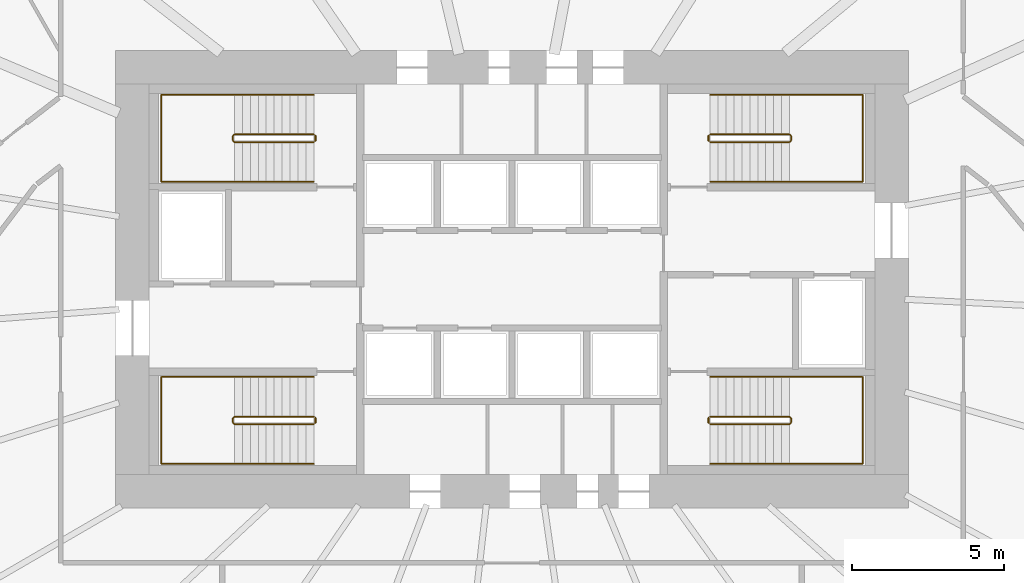
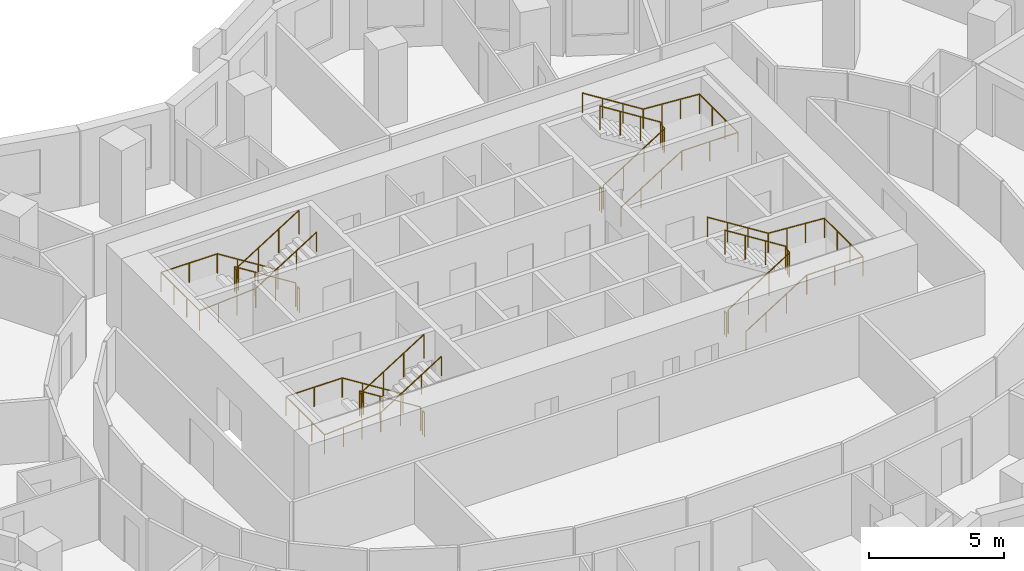
# One storey, part 12 of 13: 12 railings.
"""IFC4 building model written with IfcOpenShell, lengths in metres."""

from ifc_helpers import new_model, si_unit, direction, frame, origin, origin_2d, place, context, subcontext, project, spatial, circle, extrude, material, type_object, element, save


model = new_model("IFC4")

# Units and contexts
model_context = context("Model", 3, precision=1e-05, world=origin(), true_north=direction((0.0, 1.0)))
body_context = subcontext(model_context, "Body", "Model", "MODEL_VIEW")
ifc_project = project(units=[si_unit("LENGTHUNIT", "METRE"), si_unit("AREAUNIT", "SQUARE_METRE"), si_unit("VOLUMEUNIT", "CUBIC_METRE"), si_unit("PLANEANGLEUNIT", "RADIAN"), si_unit("MASSUNIT", "GRAM", prefix="KILO")], contexts=[model_context])

# Site, building, storey
site_placement = place(None, origin())
site = spatial("IfcSite", under=ifc_project, at=site_placement, CompositionType="ELEMENT")
building_placement = place(site_placement, origin())
building = spatial("IfcBuilding", under=site, at=building_placement, Name="Rubra Terraces Tower", CompositionType="ELEMENT")
storey_placement = place(building_placement, frame((0.0, 0.0, 85.199951171875)))
storey = spatial("IfcBuildingStorey", under=building, at=storey_placement, Name="L19", CompositionType="ELEMENT", Elevation=85.199951171875)

# Railings
ifc_material = material(Name="Stainless steel", Category="steel")
railing_type_1 = type_object("IfcRailingType", Name="Core stair guard 1100", PredefinedType="GUARDRAIL", material=ifc_material)
railing_1_placement = place(storey_placement, frame((-6.5, 0.0, 0.16357421875)))
element("IfcRailing", 1, at=railing_1_placement, inside=storey, type_object=railing_type_1, Name="L19 stair S1 guard 1", PredefinedType="GUARDRAIL", context=body_context, shape_type="SweptSolid", body=[
    extrude(circle(Radius=0.02392578125, at=origin_2d()), frame((0.0, 0.0, 1.076171875), z_axis=(-0.846324394277, 0.0, 0.532667832379), x_axis=(0.0, -1.0, 0.0)), (0.0, 0.0, 1.0), 3.072265625),
    extrude(circle(Radius=0.02392578125, at=origin_2d()), frame((-2.60009765625, 0.0, 2.71240234375), z_axis=(-0.705375805398, -0.708833529934, 0.0), x_axis=(0.708833529934, -0.705375805398, 0.0)), (0.0, 0.0, 1.0), 0.070556640625),
    extrude(circle(Radius=0.02392578125, at=origin_2d()), frame((-2.64990234375, -0.050048828125, 2.71240234375), z_axis=(0.0, -1.0, 0.0), x_axis=(1.0, 0.0, 0.0)), (0.0, 0.0, 1.0), 0.14990234375),
    extrude(circle(Radius=0.02392578125, at=origin_2d()), frame((-2.64990234375, -0.199951171875, 2.71240234375), z_axis=(0.279546231943, -0.280916556609, 0.91811752648), x_axis=(0.708833529934, 0.705375805398, 0.0)), (0.0, 0.0, 1.0), 0.17822265625),
    extrude(circle(Radius=0.02392578125, at=origin_2d()), frame((-2.60009765625, -0.25, 2.8759765625), z_axis=(0.846324394277, 0.0, 0.532667832379), x_axis=(0.0, 1.0, 0.0)), (0.0, 0.0, 1.0), 3.072265625),
    extrude(circle(Radius=0.02099609375, at=origin_2d()), origin(), (0.0, 0.0, 1.0), 1.052001953125),
    extrude(circle(Radius=0.02099609375, at=origin_2d()), frame((-0.86669921875, 0.0, 0.54541015625)), (0.0, 0.0, 1.0), 1.052001953125),
    extrude(circle(Radius=0.02099609375, at=origin_2d()), frame((-1.7333984375, 0.0, 1.091064453125)), (0.0, 0.0, 1.0), 1.052001953125),
    extrude(circle(Radius=0.02099609375, at=origin_2d()), frame((-2.60009765625, 0.0, 1.636474609375)), (0.0, 0.0, 1.0), 1.052001953125),
    extrude(circle(Radius=0.02099609375, at=origin_2d()), frame((-2.64990234375, -0.050048828125, 1.636474609375)), (0.0, 0.0, 1.0), 1.052001953125),
    extrude(circle(Radius=0.02099609375, at=origin_2d()), frame((-2.64990234375, -0.199951171875, 1.636474609375)), (0.0, 0.0, 1.0), 1.052001953125),
    extrude(circle(Radius=0.02099609375, at=origin_2d()), frame((-2.60009765625, -0.25, 1.800048828125)), (0.0, 0.0, 1.0), 1.052001953125),
    extrude(circle(Radius=0.02099609375, at=origin_2d()), frame((-1.7333984375, -0.25, 2.345458984375)), (0.0, 0.0, 1.0), 1.052001953125),
    extrude(circle(Radius=0.02099609375, at=origin_2d()), frame((-0.86669921875, -0.25, 2.89111328125)), (0.0, 0.0, 1.0), 1.052001953125),
    extrude(circle(Radius=0.02099609375, at=origin_2d()), frame((0.0, -0.25, 3.4365234375)), (0.0, 0.0, 1.0), 1.052001953125),
])
railing_2_placement = place(storey_placement, frame((-6.449951171875, -0.050048828125, 0.0)))
element("IfcRailing", 2, at=railing_2_placement, inside=storey, type_object=railing_type_1, Name="L19 stair S1 guard 2", PredefinedType="GUARDRAIL", context=body_context, shape_type="SweptSolid", body=[
    extrude(circle(Radius=0.02392578125, at=origin_2d()), frame((0.0, 0.0, 1.076171875), z_axis=(0.0, -1.0, 0.0), x_axis=(1.0, 0.0, 0.0)), (0.0, 0.0, 1.0), 0.14990234375),
    extrude(circle(Radius=0.02099609375, at=origin_2d()), origin(), (0.0, 0.0, 1.0), 1.052001953125),
    extrude(circle(Radius=0.02099609375, at=origin_2d()), frame((0.0, -0.14990234375, 0.0)), (0.0, 0.0, 1.0), 1.052001953125),
])
railing_3_placement = place(storey_placement, frame((-6.5, 9.25, 0.16357421875)))
element("IfcRailing", 3, at=railing_3_placement, inside=storey, type_object=railing_type_1, Name="L19 stair S2 guard 1", PredefinedType="GUARDRAIL", context=body_context, shape_type="SweptSolid", body=[
    extrude(circle(Radius=0.02392578125, at=origin_2d()), frame((0.0, 0.0, 1.076171875), z_axis=(-0.846324394277, 0.0, 0.532667832379), x_axis=(0.0, -1.0, 0.0)), (0.0, 0.0, 1.0), 3.072265625),
    extrude(circle(Radius=0.02392578125, at=origin_2d()), frame((-2.60009765625, 0.0, 2.71240234375), z_axis=(-0.705375805398, -0.708833529934, 0.0), x_axis=(0.708833529934, -0.705375805398, 0.0)), (0.0, 0.0, 1.0), 0.070556640625),
    extrude(circle(Radius=0.02392578125, at=origin_2d()), frame((-2.64990234375, -0.050048828125, 2.71240234375), z_axis=(0.0, -1.0, 0.0), x_axis=(1.0, 0.0, 0.0)), (0.0, 0.0, 1.0), 0.14990234375),
    extrude(circle(Radius=0.02392578125, at=origin_2d()), frame((-2.64990234375, -0.199951171875, 2.71240234375), z_axis=(0.279546231943, -0.280916556609, 0.91811752648), x_axis=(0.708833529934, 0.705375805398, 0.0)), (0.0, 0.0, 1.0), 0.17822265625),
    extrude(circle(Radius=0.02392578125, at=origin_2d()), frame((-2.60009765625, -0.25, 2.8759765625), z_axis=(0.846324394277, 0.0, 0.532667832379), x_axis=(0.0, 1.0, 0.0)), (0.0, 0.0, 1.0), 3.072265625),
    extrude(circle(Radius=0.02099609375, at=origin_2d()), origin(), (0.0, 0.0, 1.0), 1.052001953125),
    extrude(circle(Radius=0.02099609375, at=origin_2d()), frame((-0.86669921875, 0.0, 0.54541015625)), (0.0, 0.0, 1.0), 1.052001953125),
    extrude(circle(Radius=0.02099609375, at=origin_2d()), frame((-1.7333984375, 0.0, 1.091064453125)), (0.0, 0.0, 1.0), 1.052001953125),
    extrude(circle(Radius=0.02099609375, at=origin_2d()), frame((-2.60009765625, 0.0, 1.636474609375)), (0.0, 0.0, 1.0), 1.052001953125),
    extrude(circle(Radius=0.02099609375, at=origin_2d()), frame((-2.64990234375, -0.050048828125, 1.636474609375)), (0.0, 0.0, 1.0), 1.052001953125),
    extrude(circle(Radius=0.02099609375, at=origin_2d()), frame((-2.64990234375, -0.199951171875, 1.636474609375)), (0.0, 0.0, 1.0), 1.052001953125),
    extrude(circle(Radius=0.02099609375, at=origin_2d()), frame((-2.60009765625, -0.25, 1.800048828125)), (0.0, 0.0, 1.0), 1.052001953125),
    extrude(circle(Radius=0.02099609375, at=origin_2d()), frame((-1.7333984375, -0.25, 2.345458984375)), (0.0, 0.0, 1.0), 1.052001953125),
    extrude(circle(Radius=0.02099609375, at=origin_2d()), frame((-0.86669921875, -0.25, 2.89111328125)), (0.0, 0.0, 1.0), 1.052001953125),
    extrude(circle(Radius=0.02099609375, at=origin_2d()), frame((0.0, -0.25, 3.4365234375)), (0.0, 0.0, 1.0), 1.052001953125),
])
railing_4_placement = place(storey_placement, frame((-6.449951171875, 9.199951171875, 0.0)))
element("IfcRailing", 4, at=railing_4_placement, inside=storey, type_object=railing_type_1, Name="L19 stair S2 guard 2", PredefinedType="GUARDRAIL", context=body_context, shape_type="SweptSolid", body=[
    extrude(circle(Radius=0.02392578125, at=origin_2d()), frame((0.0, 0.0, 1.076171875), z_axis=(0.0, -1.0, 0.0), x_axis=(1.0, 0.0, 0.0)), (0.0, 0.0, 1.0), 0.14990234375),
    extrude(circle(Radius=0.02099609375, at=origin_2d()), origin(), (0.0, 0.0, 1.0), 1.052001953125),
    extrude(circle(Radius=0.02099609375, at=origin_2d()), frame((0.0, -0.14990234375, 0.0)), (0.0, 0.0, 1.0), 1.052001953125),
])
railing_5_placement = place(storey_placement, frame((6.5, 9.0, 0.16357421875)))
element("IfcRailing", 5, at=railing_5_placement, inside=storey, type_object=railing_type_1, Name="L19 stair S3 guard 1", PredefinedType="GUARDRAIL", context=body_context, shape_type="SweptSolid", body=[
    extrude(circle(Radius=0.02392578125, at=origin_2d()), frame((0.0, 0.0, 1.076171875), z_axis=(0.846324394277, 0.0, 0.532667832379), x_axis=(0.0, 1.0, 0.0)), (0.0, 0.0, 1.0), 3.072265625),
    extrude(circle(Radius=0.02392578125, at=origin_2d()), frame((2.60009765625, 0.0, 2.71240234375), z_axis=(0.705375805398, 0.708833529934, 0.0), x_axis=(-0.708833529934, 0.705375805398, 0.0)), (0.0, 0.0, 1.0), 0.070556640625),
    extrude(circle(Radius=0.02392578125, at=origin_2d()), frame((2.64990234375, 0.050048828125, 2.71240234375), z_axis=(0.0, 1.0, 0.0), x_axis=(-1.0, 0.0, 0.0)), (0.0, 0.0, 1.0), 0.14990234375),
    extrude(circle(Radius=0.02392578125, at=origin_2d()), frame((2.64990234375, 0.199951171875, 2.71240234375), z_axis=(-0.279546231943, 0.280916556609, 0.91811752648), x_axis=(-0.708833529934, -0.705375805398, 0.0)), (0.0, 0.0, 1.0), 0.17822265625),
    extrude(circle(Radius=0.02392578125, at=origin_2d()), frame((2.60009765625, 0.25, 2.8759765625), z_axis=(-0.846324394277, 0.0, 0.532667832379), x_axis=(0.0, -1.0, 0.0)), (0.0, 0.0, 1.0), 3.072265625),
    extrude(circle(Radius=0.02099609375, at=origin_2d()), origin(), (0.0, 0.0, 1.0), 1.052001953125),
    extrude(circle(Radius=0.02099609375, at=origin_2d()), frame((0.86669921875, 0.0, 0.54541015625)), (0.0, 0.0, 1.0), 1.052001953125),
    extrude(circle(Radius=0.02099609375, at=origin_2d()), frame((1.7333984375, 0.0, 1.091064453125)), (0.0, 0.0, 1.0), 1.052001953125),
    extrude(circle(Radius=0.02099609375, at=origin_2d()), frame((2.60009765625, 0.0, 1.636474609375)), (0.0, 0.0, 1.0), 1.052001953125),
    extrude(circle(Radius=0.02099609375, at=origin_2d()), frame((2.64990234375, 0.050048828125, 1.636474609375)), (0.0, 0.0, 1.0), 1.052001953125),
    extrude(circle(Radius=0.02099609375, at=origin_2d()), frame((2.64990234375, 0.199951171875, 1.636474609375)), (0.0, 0.0, 1.0), 1.052001953125),
    extrude(circle(Radius=0.02099609375, at=origin_2d()), frame((2.60009765625, 0.25, 1.800048828125)), (0.0, 0.0, 1.0), 1.052001953125),
    extrude(circle(Radius=0.02099609375, at=origin_2d()), frame((1.7333984375, 0.25, 2.345458984375)), (0.0, 0.0, 1.0), 1.052001953125),
    extrude(circle(Radius=0.02099609375, at=origin_2d()), frame((0.86669921875, 0.25, 2.89111328125)), (0.0, 0.0, 1.0), 1.052001953125),
    extrude(circle(Radius=0.02099609375, at=origin_2d()), frame((0.0, 0.25, 3.4365234375)), (0.0, 0.0, 1.0), 1.052001953125),
])
railing_6_placement = place(storey_placement, frame((6.449951171875, 9.050048828125, 0.0)))
element("IfcRailing", 6, at=railing_6_placement, inside=storey, type_object=railing_type_1, Name="L19 stair S3 guard 2", PredefinedType="GUARDRAIL", context=body_context, shape_type="SweptSolid", body=[
    extrude(circle(Radius=0.02392578125, at=origin_2d()), frame((0.0, 0.0, 1.076171875), z_axis=(0.0, 1.0, 0.0), x_axis=(-1.0, 0.0, 0.0)), (0.0, 0.0, 1.0), 0.14990234375),
    extrude(circle(Radius=0.02099609375, at=origin_2d()), origin(), (0.0, 0.0, 1.0), 1.052001953125),
    extrude(circle(Radius=0.02099609375, at=origin_2d()), frame((0.0, 0.14990234375, 0.0)), (0.0, 0.0, 1.0), 1.052001953125),
])
railing_7_placement = place(storey_placement, frame((6.5, -0.25, 0.16357421875)))
element("IfcRailing", 7, at=railing_7_placement, inside=storey, type_object=railing_type_1, Name="L19 stair S4 guard 1", PredefinedType="GUARDRAIL", context=body_context, shape_type="SweptSolid", body=[
    extrude(circle(Radius=0.02392578125, at=origin_2d()), frame((0.0, 0.0, 1.076171875), z_axis=(0.846324394277, 0.0, 0.532667832379), x_axis=(0.0, 1.0, 0.0)), (0.0, 0.0, 1.0), 3.072265625),
    extrude(circle(Radius=0.02392578125, at=origin_2d()), frame((2.60009765625, 0.0, 2.71240234375), z_axis=(0.705375805398, 0.708833529934, 0.0), x_axis=(-0.708833529934, 0.705375805398, 0.0)), (0.0, 0.0, 1.0), 0.070556640625),
    extrude(circle(Radius=0.02392578125, at=origin_2d()), frame((2.64990234375, 0.050048828125, 2.71240234375), z_axis=(0.0, 1.0, 0.0), x_axis=(-1.0, 0.0, 0.0)), (0.0, 0.0, 1.0), 0.14990234375),
    extrude(circle(Radius=0.02392578125, at=origin_2d()), frame((2.64990234375, 0.199951171875, 2.71240234375), z_axis=(-0.279546231943, 0.280916556609, 0.91811752648), x_axis=(-0.708833529934, -0.705375805398, 0.0)), (0.0, 0.0, 1.0), 0.17822265625),
    extrude(circle(Radius=0.02392578125, at=origin_2d()), frame((2.60009765625, 0.25, 2.8759765625), z_axis=(-0.846324394277, 0.0, 0.532667832379), x_axis=(0.0, -1.0, 0.0)), (0.0, 0.0, 1.0), 3.072265625),
    extrude(circle(Radius=0.02099609375, at=origin_2d()), origin(), (0.0, 0.0, 1.0), 1.052001953125),
    extrude(circle(Radius=0.02099609375, at=origin_2d()), frame((0.86669921875, 0.0, 0.54541015625)), (0.0, 0.0, 1.0), 1.052001953125),
    extrude(circle(Radius=0.02099609375, at=origin_2d()), frame((1.7333984375, 0.0, 1.091064453125)), (0.0, 0.0, 1.0), 1.052001953125),
    extrude(circle(Radius=0.02099609375, at=origin_2d()), frame((2.60009765625, 0.0, 1.636474609375)), (0.0, 0.0, 1.0), 1.052001953125),
    extrude(circle(Radius=0.02099609375, at=origin_2d()), frame((2.64990234375, 0.050048828125, 1.636474609375)), (0.0, 0.0, 1.0), 1.052001953125),
    extrude(circle(Radius=0.02099609375, at=origin_2d()), frame((2.64990234375, 0.199951171875, 1.636474609375)), (0.0, 0.0, 1.0), 1.052001953125),
    extrude(circle(Radius=0.02099609375, at=origin_2d()), frame((2.60009765625, 0.25, 1.800048828125)), (0.0, 0.0, 1.0), 1.052001953125),
    extrude(circle(Radius=0.02099609375, at=origin_2d()), frame((1.7333984375, 0.25, 2.345458984375)), (0.0, 0.0, 1.0), 1.052001953125),
    extrude(circle(Radius=0.02099609375, at=origin_2d()), frame((0.86669921875, 0.25, 2.89111328125)), (0.0, 0.0, 1.0), 1.052001953125),
    extrude(circle(Radius=0.02099609375, at=origin_2d()), frame((0.0, 0.25, 3.4365234375)), (0.0, 0.0, 1.0), 1.052001953125),
])
railing_8_placement = place(storey_placement, frame((6.449951171875, -0.199951171875, 0.0)))
element("IfcRailing", 8, at=railing_8_placement, inside=storey, type_object=railing_type_1, Name="L19 stair S4 guard 2", PredefinedType="GUARDRAIL", context=body_context, shape_type="SweptSolid", body=[
    extrude(circle(Radius=0.02392578125, at=origin_2d()), frame((0.0, 0.0, 1.076171875), z_axis=(0.0, 1.0, 0.0), x_axis=(-1.0, 0.0, 0.0)), (0.0, 0.0, 1.0), 0.14990234375),
    extrude(circle(Radius=0.02099609375, at=origin_2d()), origin(), (0.0, 0.0, 1.0), 1.052001953125),
    extrude(circle(Radius=0.02099609375, at=origin_2d()), frame((0.0, 0.14990234375, 0.0)), (0.0, 0.0, 1.0), 1.052001953125),
])
railing_type_2 = type_object("IfcRailingType", Name="Core stair handrail 900", PredefinedType="HANDRAIL", material=ifc_material)
railing_9_placement = place(storey_placement, frame((-6.5, 1.300048828125, 0.16357421875)))
element("IfcRailing", 9, at=railing_9_placement, inside=storey, type_object=railing_type_2, Name="L19 stair S1 handrail 1", PredefinedType="HANDRAIL", context=body_context, shape_type="SweptSolid", body=[
    extrude(circle(Radius=0.02392578125, at=origin_2d()), frame((0.0, 0.0, 0.8759765625), z_axis=(-0.846324394277, 0.0, 0.532667832379), x_axis=(0.0, -1.0, 0.0)), (0.0, 0.0, 1.0), 3.072265625),
    extrude(circle(Radius=0.02392578125, at=origin_2d()), frame((-2.60009765625, 0.0, 2.51220703125), z_axis=(-1.0, 0.0, 0.0), x_axis=(0.0, -1.0, 0.0)), (0.0, 0.0, 1.0), 2.39990234375),
    extrude(circle(Radius=0.02392578125, at=origin_2d()), frame((-5.0, 0.0, 2.51220703125), z_axis=(0.0, -1.0, 0.0), x_axis=(1.0, 0.0, 0.0)), (0.0, 0.0, 1.0), 2.85009765625),
    extrude(circle(Radius=0.02392578125, at=origin_2d()), frame((-5.0, -2.85009765625, 2.51220703125), z_axis=(0.997685257876, 0.0, 0.068000928055), x_axis=(0.0, 1.0, 0.0)), (0.0, 0.0, 1.0), 2.405517578125),
    extrude(circle(Radius=0.02392578125, at=origin_2d()), frame((-2.60009765625, -2.85009765625, 2.67578125), z_axis=(0.846324394277, 0.0, 0.532667832379), x_axis=(0.0, 1.0, 0.0)), (0.0, 0.0, 1.0), 3.072265625),
    extrude(circle(Radius=0.02099609375, at=origin_2d()), origin(), (0.0, 0.0, 1.0), 0.851806640625),
    extrude(circle(Radius=0.02099609375, at=origin_2d()), frame((-0.86669921875, 0.0, 0.54541015625)), (0.0, 0.0, 1.0), 0.851806640625),
    extrude(circle(Radius=0.02099609375, at=origin_2d()), frame((-1.7333984375, 0.0, 1.091064453125)), (0.0, 0.0, 1.0), 0.851806640625),
    extrude(circle(Radius=0.02099609375, at=origin_2d()), frame((-2.60009765625, 0.0, 1.636474609375)), (0.0, 0.0, 1.0), 0.851806640625),
    extrude(circle(Radius=0.02099609375, at=origin_2d()), frame((-3.800048828125, 0.0, 1.636474609375)), (0.0, 0.0, 1.0), 0.851806640625),
    extrude(circle(Radius=0.02099609375, at=origin_2d()), frame((-5.0, 0.0, 1.636474609375)), (0.0, 0.0, 1.0), 0.851806640625),
    extrude(circle(Radius=0.02099609375, at=origin_2d()), frame((-5.0, -0.949951171875, 1.636474609375)), (0.0, 0.0, 1.0), 0.851806640625),
    extrude(circle(Radius=0.02099609375, at=origin_2d()), frame((-5.0, -1.900146484375, 1.636474609375)), (0.0, 0.0, 1.0), 0.851806640625),
    extrude(circle(Radius=0.02099609375, at=origin_2d()), frame((-5.0, -2.85009765625, 1.636474609375)), (0.0, 0.0, 1.0), 0.851806640625),
    extrude(circle(Radius=0.02099609375, at=origin_2d()), frame((-4.199951171875, -2.85009765625, 1.69091796875)), (0.0, 0.0, 1.0), 0.851806640625),
    extrude(circle(Radius=0.02099609375, at=origin_2d()), frame((-3.400146484375, -2.85009765625, 1.74560546875)), (0.0, 0.0, 1.0), 0.851806640625),
    extrude(circle(Radius=0.02099609375, at=origin_2d()), frame((-2.60009765625, -2.85009765625, 1.800048828125)), (0.0, 0.0, 1.0), 0.851806640625),
    extrude(circle(Radius=0.02099609375, at=origin_2d()), frame((-1.7333984375, -2.85009765625, 2.345458984375)), (0.0, 0.0, 1.0), 0.851806640625),
    extrude(circle(Radius=0.02099609375, at=origin_2d()), frame((-0.86669921875, -2.85009765625, 2.89111328125)), (0.0, 0.0, 1.0), 0.851806640625),
    extrude(circle(Radius=0.02099609375, at=origin_2d()), frame((0.0, -2.85009765625, 3.4365234375)), (0.0, 0.0, 1.0), 0.851806640625),
])
railing_10_placement = place(storey_placement, frame((-6.5, 10.550048828125, 0.16357421875)))
element("IfcRailing", 10, at=railing_10_placement, inside=storey, type_object=railing_type_2, Name="L19 stair S2 handrail 1", PredefinedType="HANDRAIL", context=body_context, shape_type="SweptSolid", body=[
    extrude(circle(Radius=0.02392578125, at=origin_2d()), frame((0.0, 0.0, 0.8759765625), z_axis=(-0.846324394277, 0.0, 0.532667832379), x_axis=(0.0, -1.0, 0.0)), (0.0, 0.0, 1.0), 3.072265625),
    extrude(circle(Radius=0.02392578125, at=origin_2d()), frame((-2.60009765625, 0.0, 2.51220703125), z_axis=(-1.0, 0.0, 0.0), x_axis=(0.0, -1.0, 0.0)), (0.0, 0.0, 1.0), 2.39990234375),
    extrude(circle(Radius=0.02392578125, at=origin_2d()), frame((-5.0, 0.0, 2.51220703125), z_axis=(0.0, -1.0, 0.0), x_axis=(1.0, 0.0, 0.0)), (0.0, 0.0, 1.0), 2.85009765625),
    extrude(circle(Radius=0.02392578125, at=origin_2d()), frame((-5.0, -2.85009765625, 2.51220703125), z_axis=(0.997685257876, 0.0, 0.068000928055), x_axis=(0.0, 1.0, 0.0)), (0.0, 0.0, 1.0), 2.405517578125),
    extrude(circle(Radius=0.02392578125, at=origin_2d()), frame((-2.60009765625, -2.85009765625, 2.67578125), z_axis=(0.846324394277, 0.0, 0.532667832379), x_axis=(0.0, 1.0, 0.0)), (0.0, 0.0, 1.0), 3.072265625),
    extrude(circle(Radius=0.02099609375, at=origin_2d()), origin(), (0.0, 0.0, 1.0), 0.851806640625),
    extrude(circle(Radius=0.02099609375, at=origin_2d()), frame((-0.86669921875, 0.0, 0.54541015625)), (0.0, 0.0, 1.0), 0.851806640625),
    extrude(circle(Radius=0.02099609375, at=origin_2d()), frame((-1.7333984375, 0.0, 1.091064453125)), (0.0, 0.0, 1.0), 0.851806640625),
    extrude(circle(Radius=0.02099609375, at=origin_2d()), frame((-2.60009765625, 0.0, 1.636474609375)), (0.0, 0.0, 1.0), 0.851806640625),
    extrude(circle(Radius=0.02099609375, at=origin_2d()), frame((-3.800048828125, 0.0, 1.636474609375)), (0.0, 0.0, 1.0), 0.851806640625),
    extrude(circle(Radius=0.02099609375, at=origin_2d()), frame((-5.0, 0.0, 1.636474609375)), (0.0, 0.0, 1.0), 0.851806640625),
    extrude(circle(Radius=0.02099609375, at=origin_2d()), frame((-5.0, -0.949951171875, 1.636474609375)), (0.0, 0.0, 1.0), 0.851806640625),
    extrude(circle(Radius=0.02099609375, at=origin_2d()), frame((-5.0, -1.900146484375, 1.636474609375)), (0.0, 0.0, 1.0), 0.851806640625),
    extrude(circle(Radius=0.02099609375, at=origin_2d()), frame((-5.0, -2.85009765625, 1.636474609375)), (0.0, 0.0, 1.0), 0.851806640625),
    extrude(circle(Radius=0.02099609375, at=origin_2d()), frame((-4.199951171875, -2.85009765625, 1.69091796875)), (0.0, 0.0, 1.0), 0.851806640625),
    extrude(circle(Radius=0.02099609375, at=origin_2d()), frame((-3.400146484375, -2.85009765625, 1.74560546875)), (0.0, 0.0, 1.0), 0.851806640625),
    extrude(circle(Radius=0.02099609375, at=origin_2d()), frame((-2.60009765625, -2.85009765625, 1.800048828125)), (0.0, 0.0, 1.0), 0.851806640625),
    extrude(circle(Radius=0.02099609375, at=origin_2d()), frame((-1.7333984375, -2.85009765625, 2.345458984375)), (0.0, 0.0, 1.0), 0.851806640625),
    extrude(circle(Radius=0.02099609375, at=origin_2d()), frame((-0.86669921875, -2.85009765625, 2.89111328125)), (0.0, 0.0, 1.0), 0.851806640625),
    extrude(circle(Radius=0.02099609375, at=origin_2d()), frame((0.0, -2.85009765625, 3.4365234375)), (0.0, 0.0, 1.0), 0.851806640625),
])
railing_11_placement = place(storey_placement, frame((6.5, 7.699951171875, 0.16357421875)))
element("IfcRailing", 11, at=railing_11_placement, inside=storey, type_object=railing_type_2, Name="L19 stair S3 handrail 1", PredefinedType="HANDRAIL", context=body_context, shape_type="SweptSolid", body=[
    extrude(circle(Radius=0.02392578125, at=origin_2d()), frame((0.0, 0.0, 0.8759765625), z_axis=(0.846324394277, 0.0, 0.532667832379), x_axis=(0.0, 1.0, 0.0)), (0.0, 0.0, 1.0), 3.072265625),
    extrude(circle(Radius=0.02392578125, at=origin_2d()), frame((2.60009765625, 0.0, 2.51220703125), z_axis=(1.0, 0.0, 0.0), x_axis=(0.0, 1.0, 0.0)), (0.0, 0.0, 1.0), 2.39990234375),
    extrude(circle(Radius=0.02392578125, at=origin_2d()), frame((5.0, 0.0, 2.51220703125), z_axis=(0.0, 1.0, 0.0), x_axis=(-1.0, 0.0, 0.0)), (0.0, 0.0, 1.0), 2.85009765625),
    extrude(circle(Radius=0.02392578125, at=origin_2d()), frame((5.0, 2.85009765625, 2.51220703125), z_axis=(-0.997685257876, 0.0, 0.068000928055), x_axis=(0.0, -1.0, 0.0)), (0.0, 0.0, 1.0), 2.405517578125),
    extrude(circle(Radius=0.02392578125, at=origin_2d()), frame((2.60009765625, 2.85009765625, 2.67578125), z_axis=(-0.846324394277, 0.0, 0.532667832379), x_axis=(0.0, -1.0, 0.0)), (0.0, 0.0, 1.0), 3.072265625),
    extrude(circle(Radius=0.02099609375, at=origin_2d()), origin(), (0.0, 0.0, 1.0), 0.851806640625),
    extrude(circle(Radius=0.02099609375, at=origin_2d()), frame((0.86669921875, 0.0, 0.54541015625)), (0.0, 0.0, 1.0), 0.851806640625),
    extrude(circle(Radius=0.02099609375, at=origin_2d()), frame((1.7333984375, 0.0, 1.091064453125)), (0.0, 0.0, 1.0), 0.851806640625),
    extrude(circle(Radius=0.02099609375, at=origin_2d()), frame((2.60009765625, 0.0, 1.636474609375)), (0.0, 0.0, 1.0), 0.851806640625),
    extrude(circle(Radius=0.02099609375, at=origin_2d()), frame((3.800048828125, 0.0, 1.636474609375)), (0.0, 0.0, 1.0), 0.851806640625),
    extrude(circle(Radius=0.02099609375, at=origin_2d()), frame((5.0, 0.0, 1.636474609375)), (0.0, 0.0, 1.0), 0.851806640625),
    extrude(circle(Radius=0.02099609375, at=origin_2d()), frame((5.0, 0.949951171875, 1.636474609375)), (0.0, 0.0, 1.0), 0.851806640625),
    extrude(circle(Radius=0.02099609375, at=origin_2d()), frame((5.0, 1.900146484375, 1.636474609375)), (0.0, 0.0, 1.0), 0.851806640625),
    extrude(circle(Radius=0.02099609375, at=origin_2d()), frame((5.0, 2.85009765625, 1.636474609375)), (0.0, 0.0, 1.0), 0.851806640625),
    extrude(circle(Radius=0.02099609375, at=origin_2d()), frame((4.199951171875, 2.85009765625, 1.69091796875)), (0.0, 0.0, 1.0), 0.851806640625),
    extrude(circle(Radius=0.02099609375, at=origin_2d()), frame((3.400146484375, 2.85009765625, 1.74560546875)), (0.0, 0.0, 1.0), 0.851806640625),
    extrude(circle(Radius=0.02099609375, at=origin_2d()), frame((2.60009765625, 2.85009765625, 1.800048828125)), (0.0, 0.0, 1.0), 0.851806640625),
    extrude(circle(Radius=0.02099609375, at=origin_2d()), frame((1.7333984375, 2.85009765625, 2.345458984375)), (0.0, 0.0, 1.0), 0.851806640625),
    extrude(circle(Radius=0.02099609375, at=origin_2d()), frame((0.86669921875, 2.85009765625, 2.89111328125)), (0.0, 0.0, 1.0), 0.851806640625),
    extrude(circle(Radius=0.02099609375, at=origin_2d()), frame((0.0, 2.85009765625, 3.4365234375)), (0.0, 0.0, 1.0), 0.851806640625),
])
railing_12_placement = place(storey_placement, frame((6.5, -1.550048828125, 0.16357421875)))
element("IfcRailing", 12, at=railing_12_placement, inside=storey, type_object=railing_type_2, Name="L19 stair S4 handrail 1", PredefinedType="HANDRAIL", context=body_context, shape_type="SweptSolid", body=[
    extrude(circle(Radius=0.02392578125, at=origin_2d()), frame((0.0, 0.0, 0.8759765625), z_axis=(0.846324394277, 0.0, 0.532667832379), x_axis=(0.0, 1.0, 0.0)), (0.0, 0.0, 1.0), 3.072265625),
    extrude(circle(Radius=0.02392578125, at=origin_2d()), frame((2.60009765625, 0.0, 2.51220703125), z_axis=(1.0, 0.0, 0.0), x_axis=(0.0, 1.0, 0.0)), (0.0, 0.0, 1.0), 2.39990234375),
    extrude(circle(Radius=0.02392578125, at=origin_2d()), frame((5.0, 0.0, 2.51220703125), z_axis=(0.0, 1.0, 0.0), x_axis=(-1.0, 0.0, 0.0)), (0.0, 0.0, 1.0), 2.85009765625),
    extrude(circle(Radius=0.02392578125, at=origin_2d()), frame((5.0, 2.85009765625, 2.51220703125), z_axis=(-0.997685257876, 0.0, 0.068000928055), x_axis=(0.0, -1.0, 0.0)), (0.0, 0.0, 1.0), 2.405517578125),
    extrude(circle(Radius=0.02392578125, at=origin_2d()), frame((2.60009765625, 2.85009765625, 2.67578125), z_axis=(-0.846324394277, 0.0, 0.532667832379), x_axis=(0.0, -1.0, 0.0)), (0.0, 0.0, 1.0), 3.072265625),
    extrude(circle(Radius=0.02099609375, at=origin_2d()), origin(), (0.0, 0.0, 1.0), 0.851806640625),
    extrude(circle(Radius=0.02099609375, at=origin_2d()), frame((0.86669921875, 0.0, 0.54541015625)), (0.0, 0.0, 1.0), 0.851806640625),
    extrude(circle(Radius=0.02099609375, at=origin_2d()), frame((1.7333984375, 0.0, 1.091064453125)), (0.0, 0.0, 1.0), 0.851806640625),
    extrude(circle(Radius=0.02099609375, at=origin_2d()), frame((2.60009765625, 0.0, 1.636474609375)), (0.0, 0.0, 1.0), 0.851806640625),
    extrude(circle(Radius=0.02099609375, at=origin_2d()), frame((3.800048828125, 0.0, 1.636474609375)), (0.0, 0.0, 1.0), 0.851806640625),
    extrude(circle(Radius=0.02099609375, at=origin_2d()), frame((5.0, 0.0, 1.636474609375)), (0.0, 0.0, 1.0), 0.851806640625),
    extrude(circle(Radius=0.02099609375, at=origin_2d()), frame((5.0, 0.949951171875, 1.636474609375)), (0.0, 0.0, 1.0), 0.851806640625),
    extrude(circle(Radius=0.02099609375, at=origin_2d()), frame((5.0, 1.900146484375, 1.636474609375)), (0.0, 0.0, 1.0), 0.851806640625),
    extrude(circle(Radius=0.02099609375, at=origin_2d()), frame((5.0, 2.85009765625, 1.636474609375)), (0.0, 0.0, 1.0), 0.851806640625),
    extrude(circle(Radius=0.02099609375, at=origin_2d()), frame((4.199951171875, 2.85009765625, 1.69091796875)), (0.0, 0.0, 1.0), 0.851806640625),
    extrude(circle(Radius=0.02099609375, at=origin_2d()), frame((3.400146484375, 2.85009765625, 1.74560546875)), (0.0, 0.0, 1.0), 0.851806640625),
    extrude(circle(Radius=0.02099609375, at=origin_2d()), frame((2.60009765625, 2.85009765625, 1.800048828125)), (0.0, 0.0, 1.0), 0.851806640625),
    extrude(circle(Radius=0.02099609375, at=origin_2d()), frame((1.7333984375, 2.85009765625, 2.345458984375)), (0.0, 0.0, 1.0), 0.851806640625),
    extrude(circle(Radius=0.02099609375, at=origin_2d()), frame((0.86669921875, 2.85009765625, 2.89111328125)), (0.0, 0.0, 1.0), 0.851806640625),
    extrude(circle(Radius=0.02099609375, at=origin_2d()), frame((0.0, 2.85009765625, 3.4365234375)), (0.0, 0.0, 1.0), 0.851806640625),
])

save(model, "model.ifc")
